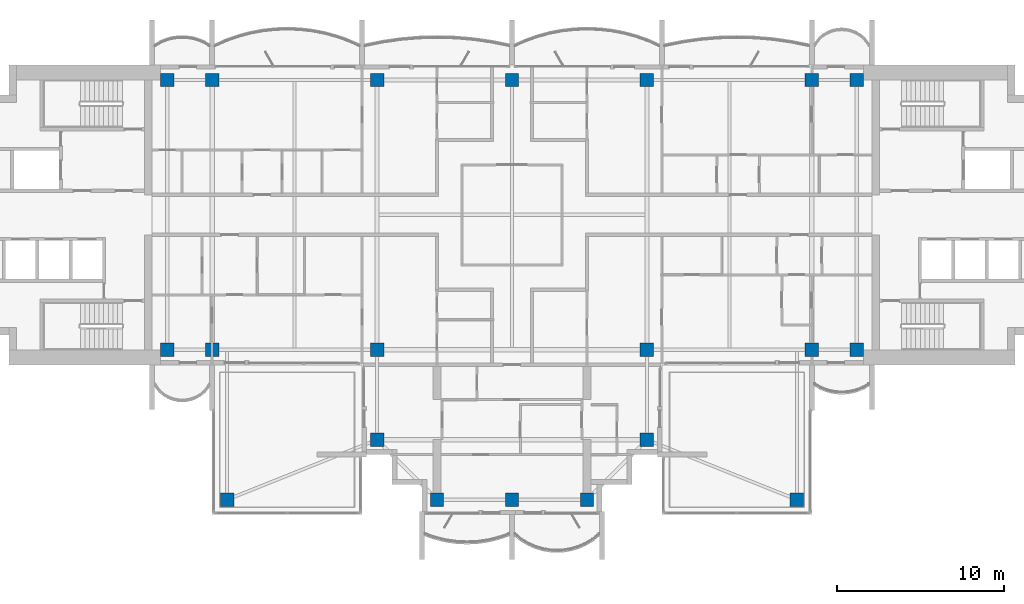
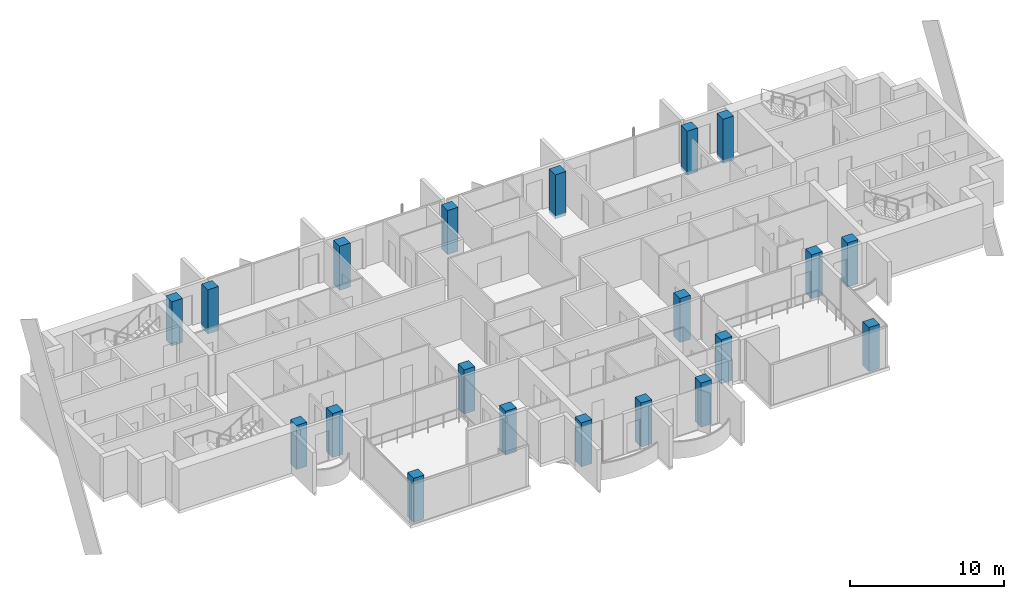
# One storey, part 1 of 16: 20 columns.
"""IFC4 building model written with IfcOpenShell, lengths in metres."""

from ifc_helpers import new_model, si_unit, direction, frame, origin, origin_2d, place, context, subcontext, project, spatial, rectangle, extrude, material, material_profile, profile_set, type_object, element, save


model = new_model("IFC4")

# Units and contexts
model_context = context("Model", 3, precision=1e-05, world=origin(), true_north=direction((0.0, 1.0)))
body_context = subcontext(model_context, "Body", "Model", "MODEL_VIEW")
ifc_project = project(units=[si_unit("LENGTHUNIT", "METRE"), si_unit("AREAUNIT", "SQUARE_METRE"), si_unit("VOLUMEUNIT", "CUBIC_METRE"), si_unit("PLANEANGLEUNIT", "RADIAN"), si_unit("MASSUNIT", "GRAM", prefix="KILO")], contexts=[model_context])

# Site, building, storey
site_placement = place(None, origin())
site = spatial("IfcSite", under=ifc_project, at=site_placement, CompositionType="ELEMENT")
building_placement = place(site_placement, origin())
building = spatial("IfcBuilding", under=site, at=building_placement, Name="Perihelion Cross Residences", CompositionType="ELEMENT")
storey_placement = place(building_placement, frame((0.0, 0.0, 253.5)))
storey = spatial("IfcBuildingStorey", under=building, at=storey_placement, Name="L64", CompositionType="ELEMENT", Elevation=253.5)

# Columns
ifc_material = material(Name="Concrete C50/60", Category="concrete")
ifc_material_profile = material_profile(ifc_material, rectangle(XDim=0.800048828125, YDim=0.800048828125, at=origin_2d()), Name="RC 800x800")
ifc_profile_set = profile_set([ifc_material_profile], Name="Concrete C50/60")
column_type = type_object("IfcColumnType", Name="Reinforced concrete column 800x800 C50/60", PredefinedType="COLUMN", material=ifc_profile_set)
for number, where, z_axis, x_axis, name in (
    (1, (-20.699951171875, -8.10009765625, -0.25), (0.0, 0.0, 1.0), (1.0, 0.0, 0.0), "Column C017 L64 no. 1"),
    (2, (-20.699951171875, 8.10009765625, -0.25), (0.0, 0.0, 1.0), (1.0, 0.0, 0.0), "Column C010 L64 no. 1"),
    (3, (-18.0, -8.10009765625, -0.25), (0.0, 0.0, 1.0), (1.0, 0.0, 0.0), "Column C018 L64 no. 1"),
    (4, (-18.0, 8.10009765625, -0.25), (0.0, 0.0, 1.0), (1.0, 0.0, 0.0), "Column C011 L64 no. 1"),
    (5, (-8.10009765625, -13.5, -0.25), (0.0, 0.0, 1.0), (1.0, 0.0, 0.0), "Column C025 L64 no. 1"),
    (6, (-8.10009765625, -8.10009765625, -0.25), (0.0, 0.0, 1.0), (1.0, 0.0, 0.0), "Column C019 L64 no. 1"),
    (7, (-8.10009765625, 8.10009765625, -0.25), (0.0, 0.0, 1.0), (1.0, 0.0, 0.0), "Column C012 L64 no. 1"),
    (8, (-4.5, -17.10009765625, -0.25), (0.0, 0.0, 1.0), (1.0, 0.0, 0.0), "Column C032 L64 no. 1"),
    (9, (0.0, -17.10009765625, -0.25), (0.0, 0.0, 1.0), (1.0, 0.0, 0.0), "Column C033 L64 no. 1"),
    (10, (0.0, 8.10009765625, -0.25), (0.0, 0.0, 1.0), (1.0, 0.0, 0.0), "Column C013 L64 no. 1"),
    (11, (4.5, -17.10009765625, -0.25), (0.0, 0.0, 1.0), (1.0, 0.0, 0.0), "Column C034 L64 no. 1"),
    (12, (8.10009765625, -13.5, -0.25), (0.0, 0.0, 1.0), (1.0, 0.0, 0.0), "Column C029 L64 no. 1"),
    (13, (8.10009765625, -8.10009765625, -0.25), (0.0, 0.0, 1.0), (1.0, 0.0, 0.0), "Column C020 L64 no. 1"),
    (14, (8.10009765625, 8.10009765625, -0.25), (0.0, 0.0, 1.0), (1.0, 0.0, 0.0), "Column C014 L64 no. 1"),
    (15, (18.0, -8.10009765625, -0.25), (0.0, 0.0, 1.0), (1.0, 0.0, 0.0), "Column C021 L64 no. 1"),
    (16, (18.0, 8.10009765625, -0.25), (0.0, 0.0, 1.0), (1.0, 0.0, 0.0), "Column C015 L64 no. 1"),
    (17, (20.699951171875, -8.10009765625, -0.25), (0.0, 0.0, 1.0), (1.0, 0.0, 0.0), "Column C022 L64 no. 1"),
    (18, (20.699951171875, 8.10009765625, -0.25), (0.0, 0.0, 1.0), (1.0, 0.0, 0.0), "Column C016 L64 no. 1"),
    (19, (-17.10009765625, -17.10009765625, -0.25), (0.0, 0.0, 1.0), (1.0, 0.0, 0.0), "Column C030 L64 no. 1"),
    (20, (17.10009765625, -17.10009765625, -0.25), (0.0, 0.0, 1.0), (1.0, 0.0, 0.0), "Column C036 L64 no. 1"),
):
    element("IfcColumn", number, at=place(storey_placement, frame(where, z_axis=z_axis, x_axis=x_axis)), inside=storey, type_object=column_type, Name=name, PredefinedType="COLUMN", context=body_context, shape_type="SweptSolid", body=[
        extrude(rectangle(XDim=0.800048828125, YDim=0.800048828125, at=origin_2d()), origin(), (0.0, 0.0, 1.0), 3.5),
    ])

save(model, "model.ifc")
